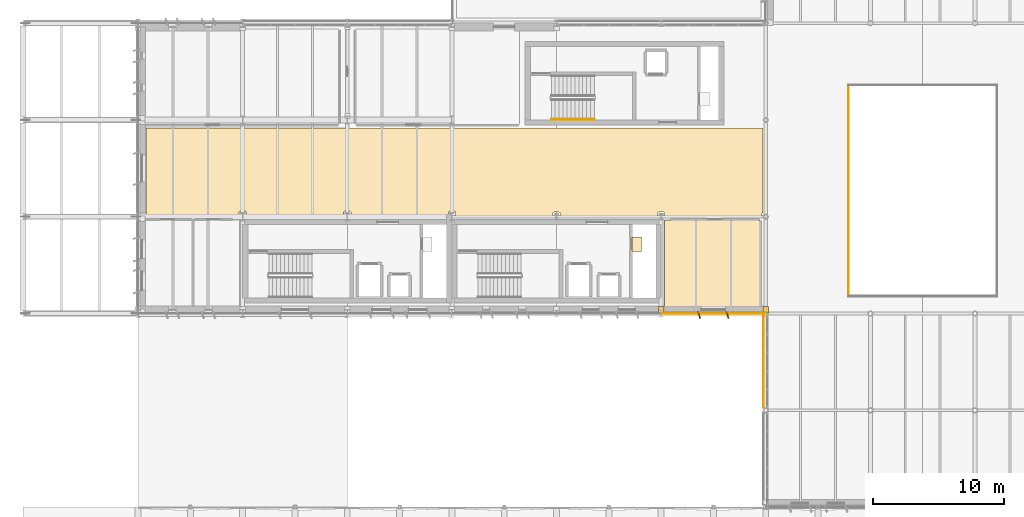
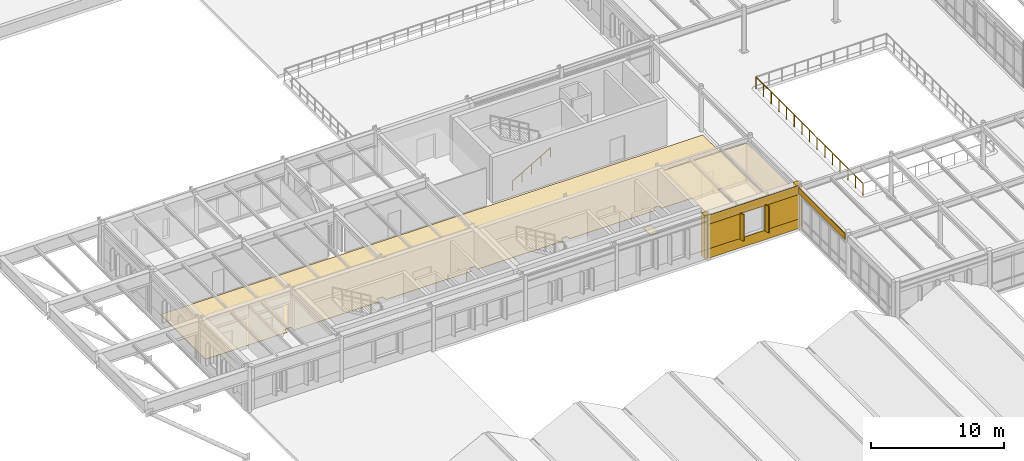
# One storey, part 52 of 63: 12 coverings, 2 railings.
"""IFC4 building model written with IfcOpenShell, lengths in metres."""

from ifc_helpers import new_model, si_unit, direction, frame, frame_2d, origin, origin_2d, place, context, subcontext, project, spatial, polyline, rectangle, circle, outline, extrude, material, layer, layer_set, type_object, element, save


model = new_model("IFC4")

# Units and contexts
model_context = context("Model", 3, precision=1e-05, world=origin(), true_north=direction((0.0, 1.0)))
body_context = subcontext(model_context, "Body", "Model", "MODEL_VIEW")
ifc_project = project(units=[si_unit("LENGTHUNIT", "METRE"), si_unit("AREAUNIT", "SQUARE_METRE"), si_unit("VOLUMEUNIT", "CUBIC_METRE"), si_unit("PLANEANGLEUNIT", "RADIAN"), si_unit("MASSUNIT", "GRAM", prefix="KILO")], contexts=[model_context])

# Site, building, storey
site_placement = place(None, origin())
site = spatial("IfcSite", under=ifc_project, at=site_placement, CompositionType="ELEMENT")
building_placement = place(site_placement, origin())
building = spatial("IfcBuilding", under=site, at=building_placement, Name="Valkorina Park Police Headquarters", CompositionType="ELEMENT")
storey_placement = place(building_placement, frame((0.0, 0.0, 9.89990234375)))
storey = spatial("IfcBuildingStorey", under=building, at=storey_placement, Name="L03", CompositionType="ELEMENT", Elevation=9.89990234375)

# Coverings
ifc_material_1 = material(Name="Acoustic mineral board")
ifc_layer_1 = layer(ifc_material_1, 0.02490234375)
ifc_layer_set_1 = layer_set([ifc_layer_1], Name="Acoustic mineral board")
covering_type_1 = type_object("IfcCoveringType", Name="COV-CEILING-ACOUST", PredefinedType="CEILING", material=ifc_layer_set_1)
covering_1_placement = place(storey_placement, frame((0.0, 0.0, 3.630126953125)))
element("IfcCovering", 1, at=covering_1_placement, inside=storey, type_object=covering_type_1, Name="L03 Accessible WC Acoustic Suspended Ceiling", PredefinedType="CEILING", context=body_context, shape_type="SweptSolid", body=[
    extrude(outline(polyline([(56.3583984375, 37.50439453125), (56.359619140625, 37.51220703125), (56.360107421875, 37.52001953125), (56.360107421875, 44.080078125), (56.359619140625, 44.087890625), (56.3583984375, 44.095703125), (56.356689453125, 44.103271484375), (56.35400390625, 44.110595703125), (56.3505859375, 44.11767578125), (56.346435546875, 44.12451171875), (56.341796875, 44.130859375), (56.336669921875, 44.13671875), (56.330810546875, 44.141845703125), (56.324462890625, 44.146484375), (56.317626953125, 44.150634765625), (56.310546875, 44.15380859375), (56.30322265625, 44.156494140625), (56.295654296875, 44.158447265625), (56.287841796875, 44.15966796875), (56.280029296875, 44.159912109375), (49.1201171875, 44.159912109375), (49.1123046875, 44.15966796875), (49.1044921875, 44.158447265625), (49.0966796875, 44.156494140625), (49.08935546875, 44.15380859375), (49.082275390625, 44.150634765625), (49.07568359375, 44.146484375), (49.069091796875, 44.141845703125), (49.0634765625, 44.13671875), (49.05810546875, 44.130859375), (49.053466796875, 44.12451171875), (49.04931640625, 44.11767578125), (49.046142578125, 44.110595703125), (49.04345703125, 44.103271484375), (49.04150390625, 44.095703125), (49.040283203125, 44.087890625), (49.0400390625, 44.080078125), (49.0400390625, 37.52001953125), (49.040283203125, 37.51220703125), (49.04150390625, 37.50439453125), (49.04345703125, 37.496826171875), (49.046142578125, 37.489501953125), (49.04931640625, 37.482421875), (49.053466796875, 37.4755859375), (49.05810546875, 37.46923828125), (49.0634765625, 37.46337890625), (49.069091796875, 37.458251953125), (49.07568359375, 37.45361328125), (49.082275390625, 37.449462890625), (49.08935546875, 37.446044921875), (49.0966796875, 37.443359375), (49.1044921875, 37.44140625), (49.1123046875, 37.4404296875), (49.1201171875, 37.43994140625), (56.280029296875, 37.43994140625), (56.287841796875, 37.4404296875), (56.295654296875, 37.44140625), (56.30322265625, 37.443359375), (56.310546875, 37.446044921875), (56.317626953125, 37.449462890625), (56.324462890625, 37.45361328125), (56.330810546875, 37.458251953125), (56.336669921875, 37.46337890625), (56.341796875, 37.46923828125), (56.346435546875, 37.4755859375), (56.3505859375, 37.482421875), (56.35400390625, 37.489501953125), (56.356689453125, 37.496826171875), (56.3583984375, 37.50439453125)])), origin(), (0.0, 0.0, 1.0), 0.02490234375),
])
ifc_material_2 = material(Name="Precast concrete C40/50", Category="concrete")
ifc_layer_2 = layer(ifc_material_2, 0.044921875)
ifc_layer_set_2 = layer_set([ifc_layer_2], Name="Precast concrete C40/50")
covering_type_2 = type_object("IfcCoveringType", Name="COV-CLAD-DOLOMITE", PredefinedType="CLADDING", material=ifc_layer_set_2)
covering_2_placement = place(storey_placement, frame((56.639892578125, 29.787841796875, 3.360107421875), z_axis=(0.0, 0.0, 1.0), x_axis=(0.0, 1.0, 0.0)))
element("IfcCovering", 2, at=covering_2_placement, inside=storey, type_object=covering_type_2, Name="L03 Spandrel Beam Insulated Fascia 2133", PredefinedType="CLADDING", context=body_context, shape_type="SweptSolid", body=[
    extrude(rectangle(XDim=7.0244140625, YDim=0.044921875, at=frame_2d((3.51220703125, 0.0))), origin(), (0.0, 0.0, 1.0), 0.56005859375),
])
for number, where, z_axis, x_axis, name in (
    (3, (56.7822265625, 37.2900390625, 0.0), (0.0, 0.0, 1.0), (1.0, 0.0, 0.0), "L03 Exterior Joint Closure Pilaster A 2134"),
    (4, (48.7900390625, 37.2900390625, 0.0), (0.0, 0.0, 1.0), (1.0, 0.0, 0.0), "L03 Exterior Joint Closure Pilaster B 2135"),
):
    element("IfcCovering", number, at=place(storey_placement, frame(where, z_axis=z_axis, x_axis=x_axis)), inside=storey, type_object=covering_type_2, Name=name, PredefinedType="CLADDING", context=body_context, shape_type="SweptSolid", body=[
        extrude(rectangle(XDim=0.419921875, YDim=0.52197265625, at=origin_2d()), origin(), (0.0, 0.0, 1.0), 3.955078125),
    ])
for number, where, z_axis, x_axis, name in (
    (5, (53.87109375, 36.8798828125, 0.780029296875), (0.0, 0.0, 1.0), (0.317304656405, -0.948323655206, 0.0), "Slanted 18.5-deg Precast Window Slot Fin 2136"),
    (6, (51.701171875, 36.8798828125, 0.780029296875), (0.0, 0.0, 1.0), (0.317304656405, -0.948323655206, 0.0), "Slanted 18.5-deg Precast Window Slot Fin 2137"),
):
    element("IfcCovering", number, at=place(storey_placement, frame(where, z_axis=z_axis, x_axis=x_axis)), inside=storey, type_object=covering_type_2, Name=name, PredefinedType="CLADDING", context=body_context, shape_type="SweptSolid", body=[
        extrude(rectangle(XDim=0.5400390625, YDim=0.090087890625, at=origin_2d()), origin(), (0.0, 0.0, 1.0), 2.43994140625),
    ])
covering_3_placement = place(storey_placement, frame((56.780029296875, 36.985107421875, 0.0), z_axis=(0.0, 0.0, 1.0), x_axis=(-1.0, 0.0, 0.0)))
element("IfcCovering", 7, at=covering_3_placement, inside=storey, type_object=covering_type_2, Name="L03 Calm Concrete Base Sill Spandrel 2138", PredefinedType="CLADDING", context=body_context, shape_type="SweptSolid", body=[
    extrude(rectangle(XDim=7.9599609375, YDim=0.044921875, at=frame_2d((3.97998046875, 0.0))), origin(), (0.0, 0.0, 1.0), 0.8701171875),
])
covering_4_placement = place(storey_placement, frame((56.780029296875, 36.985107421875, 3.130126953125), z_axis=(0.0, 0.0, 1.0), x_axis=(-1.0, 0.0, 0.0)))
element("IfcCovering", 8, at=covering_4_placement, inside=storey, type_object=covering_type_2, Name="L03 Calm Concrete Base Lintel Spandrel 2139", PredefinedType="CLADDING", context=body_context, shape_type="SweptSolid", body=[
    extrude(rectangle(XDim=7.9599609375, YDim=0.044921875, at=frame_2d((3.97998046875, 0.0))), origin(), (0.0, 0.0, 1.0), 0.824951171875),
])
covering_5_placement = place(storey_placement, frame((56.780029296875, 36.985107421875, 0.8701171875), z_axis=(0.0, 0.0, 1.0), x_axis=(-1.0, 0.0, 0.0)))
element("IfcCovering", 9, at=covering_5_placement, inside=storey, type_object=covering_type_2, Name="L03 Calm Concrete Base Slot Pier 2140", PredefinedType="CLADDING", context=body_context, shape_type="SweptSolid", body=[
    extrude(rectangle(XDim=3.01904296875, YDim=0.044921875, at=frame_2d((1.509521484375, 0.0))), origin(), (0.0, 0.0, 1.0), 2.260009765625),
])
covering_6_placement = place(storey_placement, frame((51.81103515625, 36.985107421875, 0.8701171875), z_axis=(0.0, 0.0, 1.0), x_axis=(-1.0, 0.0, 0.0)))
element("IfcCovering", 10, at=covering_6_placement, inside=storey, type_object=covering_type_2, Name="L03 Calm Concrete Base Slot Pier 2141", PredefinedType="CLADDING", context=body_context, shape_type="SweptSolid", body=[
    extrude(rectangle(XDim=2.990966796875, YDim=0.044921875, at=frame_2d((1.49560546875, 0.0))), origin(), (0.0, 0.0, 1.0), 2.260009765625),
])
ifc_material_3 = material(Name="Resin terrazzo flooring")
ifc_layer_3 = layer(ifc_material_3, 0.030029296875)
ifc_layer_set_3 = layer_set([ifc_layer_3], Name="Resin terrazzo flooring")
covering_type_3 = type_object("IfcCoveringType", Name="COV-FLOOR-TERRAZZO", PredefinedType="FLOORING", material=ifc_layer_set_3)
covering_7_placement = place(storey_placement, origin())
element("IfcCovering", 11, at=covering_7_placement, inside=storey, type_object=covering_type_3, Name="Core C2 L03 Riser Inspection Threshold Grate", PredefinedType="FLOORING", context=body_context, shape_type="SweptSolid", body=[
    extrude(outline(polyline([(47.280029296875, 41.75), (47.280029296875, 42.85009765625), (46.580078125, 42.85009765625), (46.580078125, 41.75), (47.280029296875, 41.75)])), origin(), (0.0, 0.0, 1.0), 0.030029296875),
])
covering_8_placement = place(storey_placement, origin())
element("IfcCovering", 12, at=covering_8_placement, inside=storey, type_object=covering_type_3, Name="L03 Courtyard Investigation Corridor Terrazzo Flooring", PredefinedType="FLOORING", context=body_context, shape_type="SweptSolid", body=[
    extrude(outline(polyline([(56.60009765625, 51.199951171875), (9.39990234375, 51.199951171875), (9.39990234375, 44.39990234375), (16.530029296875, 44.39990234375), (16.530029296875, 44.739990234375), (16.530517578125, 44.747802734375), (16.531494140625, 44.755615234375), (16.533447265625, 44.76318359375), (16.5361328125, 44.7705078125), (16.539306640625, 44.777587890625), (16.54345703125, 44.784423828125), (16.548095703125, 44.790771484375), (16.553466796875, 44.796630859375), (16.55908203125, 44.8017578125), (16.565673828125, 44.806396484375), (16.572265625, 44.810546875), (16.579345703125, 44.81396484375), (16.5869140625, 44.816650390625), (16.594482421875, 44.818603515625), (16.602294921875, 44.819580078125), (16.610107421875, 44.820068359375), (16.989990234375, 44.820068359375), (16.997802734375, 44.819580078125), (17.005615234375, 44.818603515625), (17.01318359375, 44.816650390625), (17.0205078125, 44.81396484375), (17.027587890625, 44.810546875), (17.034423828125, 44.806396484375), (17.040771484375, 44.8017578125), (17.046630859375, 44.796630859375), (17.0517578125, 44.790771484375), (17.056396484375, 44.784423828125), (17.060546875, 44.777587890625), (17.06396484375, 44.7705078125), (17.066650390625, 44.76318359375), (17.068603515625, 44.755615234375), (17.069580078125, 44.747802734375), (17.070068359375, 44.739990234375), (17.070068359375, 44.39990234375), (24.530029296875, 44.39990234375), (24.530029296875, 44.739990234375), (24.530517578125, 44.747802734375), (24.531494140625, 44.755615234375), (24.533447265625, 44.76318359375), (24.5361328125, 44.7705078125), (24.539306640625, 44.777587890625), (24.54345703125, 44.784423828125), (24.548095703125, 44.790771484375), (24.553466796875, 44.796630859375), (24.55908203125, 44.8017578125), (24.565673828125, 44.806396484375), (24.572265625, 44.810546875), (24.579345703125, 44.81396484375), (24.5869140625, 44.816650390625), (24.594482421875, 44.818603515625), (24.602294921875, 44.819580078125), (24.610107421875, 44.820068359375), (24.989990234375, 44.820068359375), (24.997802734375, 44.819580078125), (25.005615234375, 44.818603515625), (25.01318359375, 44.816650390625), (25.0205078125, 44.81396484375), (25.027587890625, 44.810546875), (25.034423828125, 44.806396484375), (25.040771484375, 44.8017578125), (25.046630859375, 44.796630859375), (25.0517578125, 44.790771484375), (25.056396484375, 44.784423828125), (25.060546875, 44.777587890625), (25.06396484375, 44.7705078125), (25.066650390625, 44.76318359375), (25.068603515625, 44.755615234375), (25.069580078125, 44.747802734375), (25.070068359375, 44.739990234375), (25.070068359375, 44.39990234375), (32.530029296875, 44.39990234375), (32.530029296875, 44.739990234375), (32.530517578125, 44.747802734375), (32.531494140625, 44.755615234375), (32.533447265625, 44.76318359375), (32.5361328125, 44.7705078125), (32.539306640625, 44.777587890625), (32.54345703125, 44.784423828125), (32.548095703125, 44.790771484375), (32.553466796875, 44.796630859375), (32.55908203125, 44.8017578125), (32.565673828125, 44.806396484375), (32.572265625, 44.810546875), (32.579345703125, 44.81396484375), (32.5869140625, 44.816650390625), (32.594482421875, 44.818603515625), (32.602294921875, 44.819580078125), (32.610107421875, 44.820068359375), (32.989990234375, 44.820068359375), (32.997802734375, 44.819580078125), (33.005615234375, 44.818603515625), (33.01318359375, 44.816650390625), (33.0205078125, 44.81396484375), (33.027587890625, 44.810546875), (33.034423828125, 44.806396484375), (33.040771484375, 44.8017578125), (33.046630859375, 44.796630859375), (33.0517578125, 44.790771484375), (33.056396484375, 44.784423828125), (33.060546875, 44.777587890625), (33.06396484375, 44.7705078125), (33.066650390625, 44.76318359375), (33.068603515625, 44.755615234375), (33.069580078125, 44.747802734375), (33.070068359375, 44.739990234375), (33.070068359375, 44.39990234375), (40.530029296875, 44.39990234375), (40.530029296875, 44.6650390625), (40.530517578125, 44.6728515625), (40.531494140625, 44.6806640625), (40.533447265625, 44.688232421875), (40.5361328125, 44.695556640625), (40.539306640625, 44.70263671875), (40.54345703125, 44.70947265625), (40.548095703125, 44.7158203125), (40.553466796875, 44.7216796875), (40.55908203125, 44.726806640625), (40.565673828125, 44.7314453125), (40.572265625, 44.735595703125), (40.579345703125, 44.739013671875), (40.5869140625, 44.74169921875), (40.594482421875, 44.743408203125), (40.602294921875, 44.74462890625), (40.610107421875, 44.7451171875), (40.989990234375, 44.7451171875), (40.997802734375, 44.74462890625), (41.005615234375, 44.743408203125), (41.01318359375, 44.74169921875), (41.0205078125, 44.739013671875), (41.027587890625, 44.735595703125), (41.034423828125, 44.7314453125), (41.040771484375, 44.726806640625), (41.046630859375, 44.7216796875), (41.0517578125, 44.7158203125), (41.056396484375, 44.70947265625), (41.060546875, 44.70263671875), (41.06396484375, 44.695556640625), (41.066650390625, 44.688232421875), (41.068603515625, 44.6806640625), (41.069580078125, 44.6728515625), (41.070068359375, 44.6650390625), (41.070068359375, 44.39990234375), (48.530029296875, 44.39990234375), (48.530029296875, 44.6650390625), (48.530517578125, 44.6728515625), (48.531494140625, 44.6806640625), (48.533447265625, 44.688232421875), (48.5361328125, 44.695556640625), (48.539306640625, 44.70263671875), (48.54345703125, 44.70947265625), (48.548095703125, 44.7158203125), (48.553466796875, 44.7216796875), (48.55908203125, 44.726806640625), (48.565673828125, 44.7314453125), (48.572265625, 44.735595703125), (48.579345703125, 44.739013671875), (48.5869140625, 44.74169921875), (48.594482421875, 44.743408203125), (48.602294921875, 44.74462890625), (48.610107421875, 44.7451171875), (48.989990234375, 44.7451171875), (48.997802734375, 44.74462890625), (49.005615234375, 44.743408203125), (49.01318359375, 44.74169921875), (49.0205078125, 44.739013671875), (49.027587890625, 44.735595703125), (49.034423828125, 44.7314453125), (49.040771484375, 44.726806640625), (49.046630859375, 44.7216796875), (49.0517578125, 44.7158203125), (49.056396484375, 44.70947265625), (49.060546875, 44.70263671875), (49.06396484375, 44.695556640625), (49.066650390625, 44.688232421875), (49.068603515625, 44.6806640625), (49.069580078125, 44.6728515625), (49.070068359375, 44.6650390625), (49.070068359375, 44.39990234375), (56.502197265625, 44.39990234375), (56.502197265625, 44.617919921875), (56.502685546875, 44.62548828125), (56.503662109375, 44.63330078125), (56.505615234375, 44.64111328125), (56.50830078125, 44.6484375), (56.51171875, 44.655517578125), (56.515625, 44.662109375), (56.5205078125, 44.668701171875), (56.525634765625, 44.67431640625), (56.531494140625, 44.6796875), (56.537841796875, 44.684326171875), (56.54443359375, 44.6884765625), (56.551513671875, 44.691650390625), (56.55908203125, 44.6943359375), (56.566650390625, 44.6962890625), (56.574462890625, 44.697509765625), (56.582275390625, 44.69775390625), (56.60009765625, 44.69775390625), (56.60009765625, 51.199951171875)])), origin(), (0.0, 0.0, 1.0), 0.030029296875),
])

# Railings
ifc_material_4 = material(Name="Stainless steel EN 1.4404", Category="steel")
railing_type_1 = type_object("IfcRailingType", Name="RL-GUARD-INT-1100", PredefinedType="BALUSTRADE", material=ifc_material_4)
railing_1_placement = place(storey_placement, frame((63.1201171875, 54.47998046875, 0.0)))
element("IfcRailing", 13, at=railing_1_placement, inside=storey, type_object=railing_type_1, Name="L03 Winter Concourse Atrium Balustrade 8", PredefinedType="BALUSTRADE", context=body_context, shape_type="SweptSolid", body=[
    extrude(circle(Radius=0.02392578125, at=origin_2d()), frame((0.0, 0.0, 1.09619140625), z_axis=(0.0, -1.0, 0.0), x_axis=(1.0, 0.0, 0.0)), (0.0, 0.0, 1.0), 16.159912109375),
    extrude(circle(Radius=0.02099609375, at=origin_2d()), origin(), (0.0, 0.0, 1.0), 1.072021484375),
    extrude(circle(Radius=0.02099609375, at=origin_2d()), frame((0.0, -1.154296875, 0.0)), (0.0, 0.0, 1.0), 1.072021484375),
    extrude(circle(Radius=0.02099609375, at=origin_2d()), frame((0.0, -2.30859375, 0.0)), (0.0, 0.0, 1.0), 1.072021484375),
    extrude(circle(Radius=0.02099609375, at=origin_2d()), frame((0.0, -3.462890625, 0.0)), (0.0, 0.0, 1.0), 1.072021484375),
    extrude(circle(Radius=0.02099609375, at=origin_2d()), frame((0.0, -4.6171875, 0.0)), (0.0, 0.0, 1.0), 1.072021484375),
    extrude(circle(Radius=0.02099609375, at=origin_2d()), frame((0.0, -5.771484375, 0.0)), (0.0, 0.0, 1.0), 1.072021484375),
    extrude(circle(Radius=0.02099609375, at=origin_2d()), frame((0.0, -6.92578125, 0.0)), (0.0, 0.0, 1.0), 1.072021484375),
    extrude(circle(Radius=0.02099609375, at=origin_2d()), frame((0.0, -8.080078125, 0.0)), (0.0, 0.0, 1.0), 1.072021484375),
    extrude(circle(Radius=0.02099609375, at=origin_2d()), frame((0.0, -9.234130859375, 0.0)), (0.0, 0.0, 1.0), 1.072021484375),
    extrude(circle(Radius=0.02099609375, at=origin_2d()), frame((0.0, -10.388427734375, 0.0)), (0.0, 0.0, 1.0), 1.072021484375),
    extrude(circle(Radius=0.02099609375, at=origin_2d()), frame((0.0, -11.542724609375, 0.0)), (0.0, 0.0, 1.0), 1.072021484375),
    extrude(circle(Radius=0.02099609375, at=origin_2d()), frame((0.0, -12.697021484375, 0.0)), (0.0, 0.0, 1.0), 1.072021484375),
    extrude(circle(Radius=0.02099609375, at=origin_2d()), frame((0.0, -13.851318359375, 0.0)), (0.0, 0.0, 1.0), 1.072021484375),
    extrude(circle(Radius=0.02099609375, at=origin_2d()), frame((0.0, -15.005615234375, 0.0)), (0.0, 0.0, 1.0), 1.072021484375),
    extrude(circle(Radius=0.02099609375, at=origin_2d()), frame((0.0, -16.159912109375, 0.0)), (0.0, 0.0, 1.0), 1.072021484375),
])
railing_type_2 = type_object("IfcRailingType", Name="RL-HANDRAIL-900", PredefinedType="HANDRAIL", material=ifc_material_4)
railing_2_placement = place(storey_placement, frame((40.39990234375, 51.85009765625, 0.175048828125)))
element("IfcRailing", 14, at=railing_2_placement, inside=storey, type_object=railing_type_2, Name="L03 Core C3 Stair Handrail 1", PredefinedType="HANDRAIL", context=body_context, shape_type="SweptSolid", body=[
    extrude(circle(Radius=0.02392578125, at=origin_2d()), frame((0.0, 0.0, 0.8759765625), z_axis=(0.863776583165, 0.0, 0.503874998761), x_axis=(0.0, 1.0, 0.0)), (0.0, 0.0, 1.0), 3.820556640625),
    extrude(circle(Radius=0.02099609375, at=origin_2d()), origin(), (0.0, 0.0, 1.0), 0.851806640625),
    extrude(circle(Radius=0.02099609375, at=origin_2d()), frame((0.824951171875, 0.0, 0.481201171875)), (0.0, 0.0, 1.0), 0.851806640625),
    extrude(circle(Radius=0.02099609375, at=origin_2d()), frame((1.64990234375, 0.0, 0.96240234375)), (0.0, 0.0, 1.0), 0.851806640625),
    extrude(circle(Radius=0.02099609375, at=origin_2d()), frame((2.47509765625, 0.0, 1.44384765625)), (0.0, 0.0, 1.0), 0.851806640625),
    extrude(circle(Radius=0.02099609375, at=origin_2d()), frame((3.300048828125, 0.0, 1.925048828125)), (0.0, 0.0, 1.0), 0.851806640625),
])

save(model, "model.ifc")
